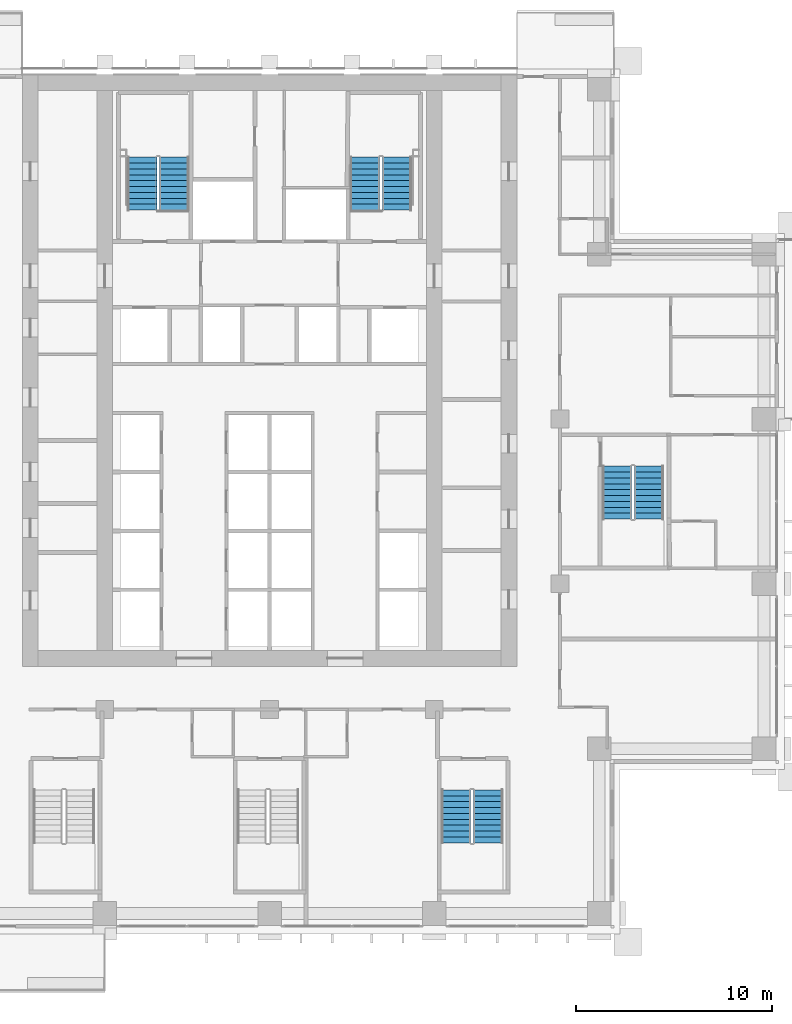
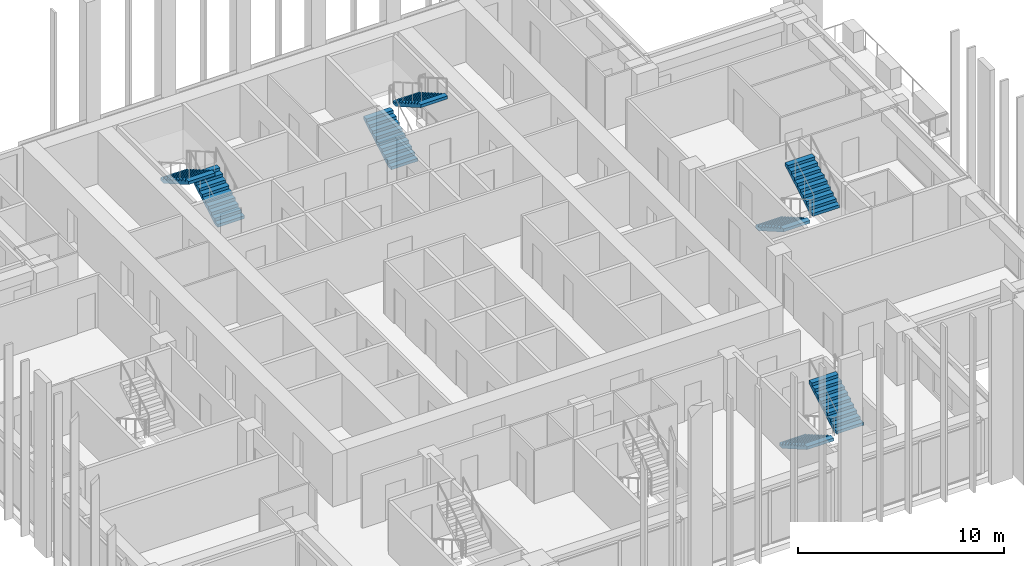
# One storey, part 13 of 18: 8 stair flights, 4 elements without a shape of their own.
"""IFC4 building model written with IfcOpenShell, lengths in metres."""

from ifc_helpers import new_model, si_unit, direction, frame, origin, place, context, subcontext, project, spatial, polyline, outline, extrude, material, type_object, element, aggregate, save


model = new_model("IFC4")

# Units and contexts
model_context = context("Model", 3, precision=1e-05, world=origin(), true_north=direction((0.0, 1.0)))
body_context = subcontext(model_context, "Body", "Model", "MODEL_VIEW")
ifc_project = project(units=[si_unit("LENGTHUNIT", "METRE"), si_unit("AREAUNIT", "SQUARE_METRE"), si_unit("VOLUMEUNIT", "CUBIC_METRE"), si_unit("PLANEANGLEUNIT", "RADIAN"), si_unit("MASSUNIT", "GRAM", prefix="KILO")], contexts=[model_context])

# Site, building, storey
site_placement = place(None, origin())
site = spatial("IfcSite", under=ifc_project, at=site_placement, CompositionType="ELEMENT")
building_placement = place(site_placement, origin())
building = spatial("IfcBuilding", under=site, at=building_placement, Name="Vermilion Ogive Tower", CompositionType="ELEMENT")
storey_placement = place(building_placement, frame((0.0, 0.0, 80.39990234375)))
storey = spatial("IfcBuildingStorey", under=building, at=storey_placement, Name="L19", CompositionType="ELEMENT", Elevation=80.39990234375)

# Stair, stair flights
ifc_material_1 = material(Name="Concrete B40", Category="concrete")
stair_type = type_object("IfcStairType", Name="Exit stair 1500", PredefinedType="HALF_TURN_STAIR", material=ifc_material_1)
stair_1_placement = place(storey_placement, origin())
stair_1 = element("IfcStair", 1, at=stair_1_placement, inside=storey, type_object=stair_type, Name="L19 Exit Stair ST1", PredefinedType="HALF_TURN_STAIR")
ifc_material_2 = material(Name="Concrete B40", Category="concrete")
stair_flight_type = type_object("IfcStairFlightType", Name="Stair flight 1500", PredefinedType="STRAIGHT", material=ifc_material_2)
stair_flight_1_placement = place(storey_placement, frame((-4.85009765625, 14.85009765625, 0.0), z_axis=(0.0, 0.0, 1.0), x_axis=(0.0, 1.0, 0.0)))
stair_flight_1 = element("IfcStairFlight", 2, at=stair_flight_1_placement, type_object=stair_flight_type, Name="ST1 flight 1", NumberOfRisers=10, NumberOfTreads=9, PredefinedType="STRAIGHT", RiserHeight=0.1725, TreadLength=0.3, context=body_context, shape_type="SweptSolid", body=[
    extrude(outline(polyline([(0.0, 0.0), (0.0, 0.172607421875), (0.300048828125, 0.172607421875), (0.300048828125, 0.344970703125), (0.60009765625, 0.344970703125), (0.60009765625, 0.517578125), (0.89990234375, 0.517578125), (0.89990234375, 0.68994140625), (1.199951171875, 0.68994140625), (1.199951171875, 0.862548828125), (1.5, 0.862548828125), (1.5, 1.034912109375), (1.800048828125, 1.034912109375), (1.800048828125, 1.20751953125), (2.10009765625, 1.20751953125), (2.10009765625, 1.3798828125), (2.39990234375, 1.3798828125), (2.39990234375, 1.552490234375), (2.699951171875, 1.552490234375), (2.699951171875, 1.72509765625), (2.699951171875, 1.379638671875), (0.30078125, 0.0), (0.0, 0.0)])), frame((0.0, 0.75, 0.0), z_axis=(0.0, -1.0, 0.0), x_axis=(1.0, 0.0, 0.0)), (0.0, 0.0, 1.0), 1.5),
])
stair_flight_2_placement = place(storey_placement, frame((-6.5, 17.550048828125, 1.72509765625), z_axis=(0.0, 0.0, 1.0), x_axis=(0.0, -1.0, 0.0)))
stair_flight_2 = element("IfcStairFlight", 3, at=stair_flight_2_placement, type_object=stair_flight_type, Name="ST1 flight 2", NumberOfRisers=10, NumberOfTreads=9, PredefinedType="STRAIGHT", RiserHeight=0.1725, TreadLength=0.3, context=body_context, shape_type="SweptSolid", body=[
    extrude(outline(polyline([(0.0, 0.0), (0.0, 0.172607421875), (0.300048828125, 0.172607421875), (0.300048828125, 0.344970703125), (0.60009765625, 0.344970703125), (0.60009765625, 0.517578125), (0.89990234375, 0.517578125), (0.89990234375, 0.68994140625), (1.199951171875, 0.68994140625), (1.199951171875, 0.862548828125), (1.5, 0.862548828125), (1.5, 1.034912109375), (1.800048828125, 1.034912109375), (1.800048828125, 1.20751953125), (2.10009765625, 1.20751953125), (2.10009765625, 1.3798828125), (2.39990234375, 1.3798828125), (2.39990234375, 1.552490234375), (2.699951171875, 1.552490234375), (2.699951171875, 1.72509765625), (2.699951171875, 1.379638671875), (0.30078125, 0.0), (0.0, 0.0)])), frame((0.0, 0.75, 0.0), z_axis=(0.0, -1.0, 0.0), x_axis=(1.0, 0.0, 0.0)), (0.0, 0.0, 1.0), 1.5),
])
aggregate(stair_1, [stair_flight_1, stair_flight_2])

stair_2_placement = place(storey_placement, origin())
stair_2 = element("IfcStair", 4, at=stair_2_placement, inside=storey, type_object=stair_type, Name="L19 Exit Stair ST2", PredefinedType="HALF_TURN_STAIR")
stair_flight_3_placement = place(storey_placement, frame((4.85009765625, 14.85009765625, 0.0), z_axis=(0.0, 0.0, 1.0), x_axis=(0.0, 1.0, 0.0)))
stair_flight_3 = element("IfcStairFlight", 5, at=stair_flight_3_placement, type_object=stair_flight_type, Name="ST2 flight 1", NumberOfRisers=10, NumberOfTreads=9, PredefinedType="STRAIGHT", RiserHeight=0.1725, TreadLength=0.3, context=body_context, shape_type="SweptSolid", body=[
    extrude(outline(polyline([(0.0, 0.0), (0.0, 0.172607421875), (0.300048828125, 0.172607421875), (0.300048828125, 0.344970703125), (0.60009765625, 0.344970703125), (0.60009765625, 0.517578125), (0.89990234375, 0.517578125), (0.89990234375, 0.68994140625), (1.199951171875, 0.68994140625), (1.199951171875, 0.862548828125), (1.5, 0.862548828125), (1.5, 1.034912109375), (1.800048828125, 1.034912109375), (1.800048828125, 1.20751953125), (2.10009765625, 1.20751953125), (2.10009765625, 1.3798828125), (2.39990234375, 1.3798828125), (2.39990234375, 1.552490234375), (2.699951171875, 1.552490234375), (2.699951171875, 1.72509765625), (2.699951171875, 1.379638671875), (0.30078125, 0.0), (0.0, 0.0)])), frame((0.0, 0.75, 0.0), z_axis=(0.0, -1.0, 0.0), x_axis=(1.0, 0.0, 0.0)), (0.0, 0.0, 1.0), 1.5),
])
stair_flight_4_placement = place(storey_placement, frame((6.5, 17.550048828125, 1.72509765625), z_axis=(0.0, 0.0, 1.0), x_axis=(0.0, -1.0, 0.0)))
stair_flight_4 = element("IfcStairFlight", 6, at=stair_flight_4_placement, type_object=stair_flight_type, Name="ST2 flight 2", NumberOfRisers=10, NumberOfTreads=9, PredefinedType="STRAIGHT", RiserHeight=0.1725, TreadLength=0.3, context=body_context, shape_type="SweptSolid", body=[
    extrude(outline(polyline([(0.0, 0.0), (0.0, 0.172607421875), (0.300048828125, 0.172607421875), (0.300048828125, 0.344970703125), (0.60009765625, 0.344970703125), (0.60009765625, 0.517578125), (0.89990234375, 0.517578125), (0.89990234375, 0.68994140625), (1.199951171875, 0.68994140625), (1.199951171875, 0.862548828125), (1.5, 0.862548828125), (1.5, 1.034912109375), (1.800048828125, 1.034912109375), (1.800048828125, 1.20751953125), (2.10009765625, 1.20751953125), (2.10009765625, 1.3798828125), (2.39990234375, 1.3798828125), (2.39990234375, 1.552490234375), (2.699951171875, 1.552490234375), (2.699951171875, 1.72509765625), (2.699951171875, 1.379638671875), (0.30078125, 0.0), (0.0, 0.0)])), frame((0.0, 0.75, 0.0), z_axis=(0.0, -1.0, 0.0), x_axis=(1.0, 0.0, 0.0)), (0.0, 0.0, 1.0), 1.5),
])
aggregate(stair_2, [stair_flight_3, stair_flight_4])

stair_3_placement = place(storey_placement, origin())
stair_3 = element("IfcStair", 7, at=stair_3_placement, inside=storey, type_object=stair_type, Name="L19 Exit Stair ST5", PredefinedType="HALF_TURN_STAIR")
stair_flight_5_placement = place(storey_placement, frame((9.5, -14.699951171875, 0.0), z_axis=(0.0, 0.0, 1.0), x_axis=(0.0, -1.0, 0.0)))
stair_flight_5 = element("IfcStairFlight", 8, at=stair_flight_5_placement, type_object=stair_flight_type, Name="ST5 flight 1", NumberOfRisers=10, NumberOfTreads=9, PredefinedType="STRAIGHT", RiserHeight=0.1725, TreadLength=0.3, context=body_context, shape_type="SweptSolid", body=[
    extrude(outline(polyline([(0.0, 0.0), (0.0, 0.172607421875), (0.300048828125, 0.172607421875), (0.300048828125, 0.344970703125), (0.60009765625, 0.344970703125), (0.60009765625, 0.517578125), (0.89990234375, 0.517578125), (0.89990234375, 0.68994140625), (1.199951171875, 0.68994140625), (1.199951171875, 0.862548828125), (1.5, 0.862548828125), (1.5, 1.034912109375), (1.800048828125, 1.034912109375), (1.800048828125, 1.20751953125), (2.10009765625, 1.20751953125), (2.10009765625, 1.3798828125), (2.39990234375, 1.3798828125), (2.39990234375, 1.552490234375), (2.699951171875, 1.552490234375), (2.699951171875, 1.72509765625), (2.699951171875, 1.379638671875), (0.30078125, 0.0), (0.0, 0.0)])), frame((0.0, 0.75, 0.0), z_axis=(0.0, -1.0, 0.0), x_axis=(1.0, 0.0, 0.0)), (0.0, 0.0, 1.0), 1.5),
])
stair_flight_6_placement = place(storey_placement, frame((11.14990234375, -17.39990234375, 1.72509765625), z_axis=(0.0, 0.0, 1.0), x_axis=(0.0, 1.0, 0.0)))
stair_flight_6 = element("IfcStairFlight", 9, at=stair_flight_6_placement, type_object=stair_flight_type, Name="ST5 flight 2", NumberOfRisers=10, NumberOfTreads=9, PredefinedType="STRAIGHT", RiserHeight=0.1725, TreadLength=0.3, context=body_context, shape_type="SweptSolid", body=[
    extrude(outline(polyline([(0.0, 0.0), (0.0, 0.172607421875), (0.300048828125, 0.172607421875), (0.300048828125, 0.344970703125), (0.60009765625, 0.344970703125), (0.60009765625, 0.517578125), (0.89990234375, 0.517578125), (0.89990234375, 0.68994140625), (1.199951171875, 0.68994140625), (1.199951171875, 0.862548828125), (1.5, 0.862548828125), (1.5, 1.034912109375), (1.800048828125, 1.034912109375), (1.800048828125, 1.20751953125), (2.10009765625, 1.20751953125), (2.10009765625, 1.3798828125), (2.39990234375, 1.3798828125), (2.39990234375, 1.552490234375), (2.699951171875, 1.552490234375), (2.699951171875, 1.72509765625), (2.699951171875, 1.379638671875), (0.30078125, 0.0), (0.0, 0.0)])), frame((0.0, 0.75, 0.0), z_axis=(0.0, -1.0, 0.0), x_axis=(1.0, 0.0, 0.0)), (0.0, 0.0, 1.0), 1.5),
])
aggregate(stair_3, [stair_flight_5, stair_flight_6])

stair_4_placement = place(storey_placement, origin())
stair_4 = element("IfcStair", 10, at=stair_4_placement, inside=storey, type_object=stair_type, Name="L19 Exit Stair ST8", PredefinedType="HALF_TURN_STAIR")
stair_flight_7_placement = place(storey_placement, frame((17.699951171875, 1.800048828125, 0.0), z_axis=(0.0, 0.0, 1.0), x_axis=(0.0, -1.0, 0.0)))
stair_flight_7 = element("IfcStairFlight", 11, at=stair_flight_7_placement, type_object=stair_flight_type, Name="ST8 flight 1", NumberOfRisers=10, NumberOfTreads=9, PredefinedType="STRAIGHT", RiserHeight=0.1725, TreadLength=0.3, context=body_context, shape_type="SweptSolid", body=[
    extrude(outline(polyline([(0.0, 0.0), (0.0, 0.172607421875), (0.300048828125, 0.172607421875), (0.300048828125, 0.344970703125), (0.60009765625, 0.344970703125), (0.60009765625, 0.517578125), (0.89990234375, 0.517578125), (0.89990234375, 0.68994140625), (1.199951171875, 0.68994140625), (1.199951171875, 0.862548828125), (1.5, 0.862548828125), (1.5, 1.034912109375), (1.800048828125, 1.034912109375), (1.800048828125, 1.20751953125), (2.10009765625, 1.20751953125), (2.10009765625, 1.3798828125), (2.39990234375, 1.3798828125), (2.39990234375, 1.552490234375), (2.699951171875, 1.552490234375), (2.699951171875, 1.72509765625), (2.699951171875, 1.379638671875), (0.30078125, 0.0), (0.0, 0.0)])), frame((0.0, 0.75, 0.0), z_axis=(0.0, -1.0, 0.0), x_axis=(1.0, 0.0, 0.0)), (0.0, 0.0, 1.0), 1.5),
])
stair_flight_8_placement = place(storey_placement, frame((19.35009765625, -0.89990234375, 1.72509765625), z_axis=(0.0, 0.0, 1.0), x_axis=(0.0, 1.0, 0.0)))
stair_flight_8 = element("IfcStairFlight", 12, at=stair_flight_8_placement, type_object=stair_flight_type, Name="ST8 flight 2", NumberOfRisers=10, NumberOfTreads=9, PredefinedType="STRAIGHT", RiserHeight=0.1725, TreadLength=0.3, context=body_context, shape_type="SweptSolid", body=[
    extrude(outline(polyline([(0.0, 0.0), (0.0, 0.172607421875), (0.300048828125, 0.172607421875), (0.300048828125, 0.344970703125), (0.60009765625, 0.344970703125), (0.60009765625, 0.517578125), (0.89990234375, 0.517578125), (0.89990234375, 0.68994140625), (1.199951171875, 0.68994140625), (1.199951171875, 0.862548828125), (1.5, 0.862548828125), (1.5, 1.034912109375), (1.800048828125, 1.034912109375), (1.800048828125, 1.20751953125), (2.10009765625, 1.20751953125), (2.10009765625, 1.3798828125), (2.39990234375, 1.3798828125), (2.39990234375, 1.552490234375), (2.699951171875, 1.552490234375), (2.699951171875, 1.72509765625), (2.699951171875, 1.379638671875), (0.30078125, 0.0), (0.0, 0.0)])), frame((0.0, 0.75, 0.0), z_axis=(0.0, -1.0, 0.0), x_axis=(1.0, 0.0, 0.0)), (0.0, 0.0, 1.0), 1.5),
])
aggregate(stair_4, [stair_flight_7, stair_flight_8])

save(model, "model.ifc")
